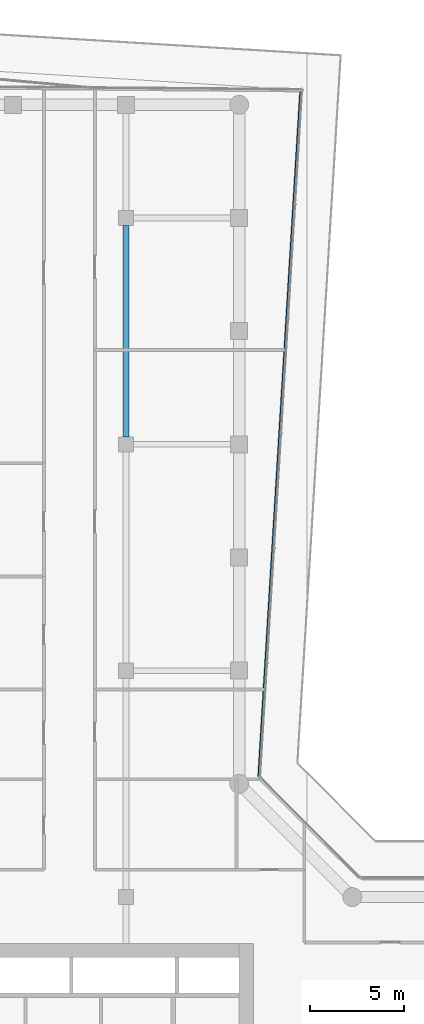
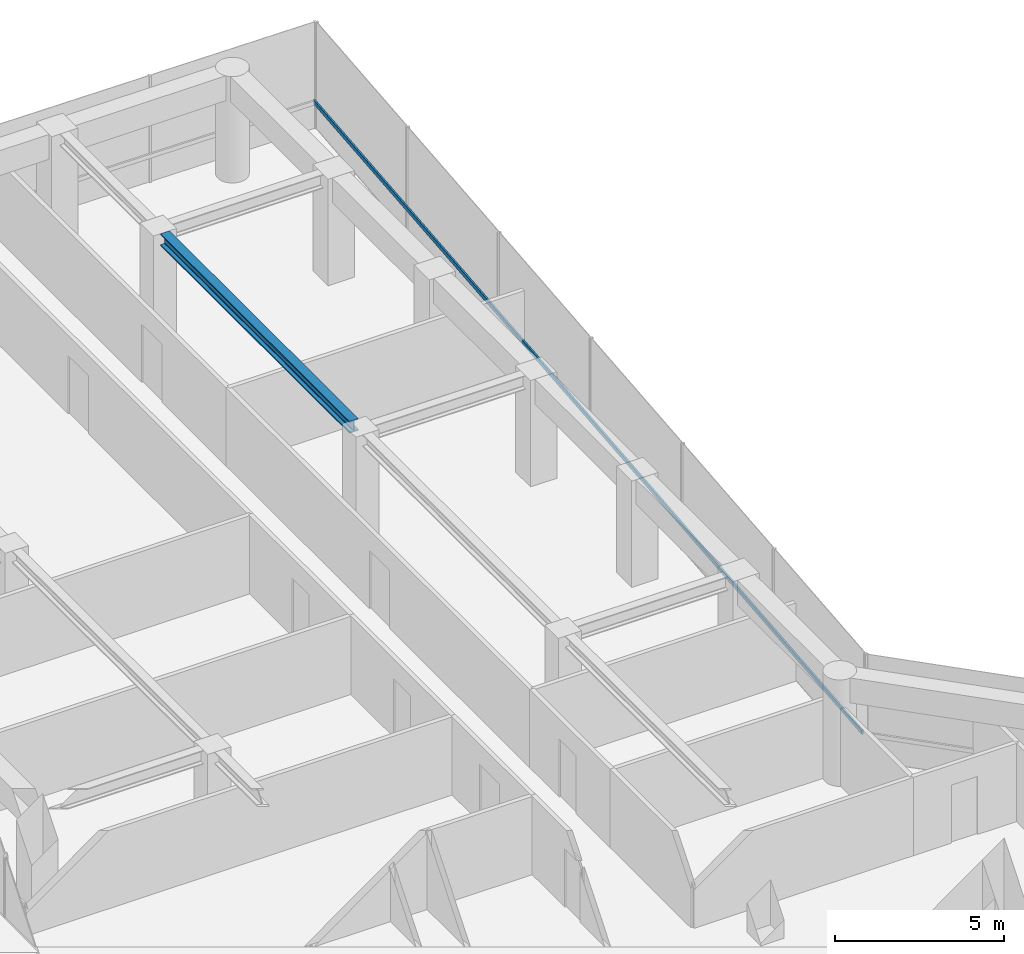
# One storey, part 16 of 24: 1 beam, 1 member, 1 element without a shape of its own.
"""IFC4 building model written with IfcOpenShell, lengths in metres."""

import ifcopenshell
import ifcopenshell.guid

model = None  # the IFC model being written
_history = None  # IfcOwnerHistory: only IFC2X3 demands one
_inside = {}  # id of a spatial element -> (the spatial element, [elements in it])
_under = {}  # id of a project, library or spatial element -> (it, [spatial elements below it])
_declared = {}  # id of a project -> (the project, [libraries it declares])
_typed = {}  # id of a type object -> (the type object, [elements of that type])
_made_of = {}  # id of a material, layer set ... -> (it, [elements and type objects made of it])


def new_model(schema):
    """Start an empty IFC model of exactly this schema.

    Asked for "IFC4X3", IfcOpenShell would pick the latest addendum, in which some entities
    have other attributes; the version numbers below select the first issue.
    IFC2X3 requires an IfcOwnerHistory on every rooted entity: one is made here for all.
    """
    global model, _history
    if schema == "IFC4X3":
        model = ifcopenshell.file(schema_version=(4, 3, 0, 0))
    else:
        model = ifcopenshell.file(schema=schema)
    _inside.clear()
    _under.clear()
    _declared.clear()
    _typed.clear()
    _made_of.clear()
    _history = None
    if model.schema == "IFC2X3":
        org = make("IfcOrganization", Name="unknown")
        user = make(
            "IfcPersonAndOrganization",
            ThePerson=make("IfcPerson", FamilyName="unknown"),
            TheOrganization=org,
        )
        app = make(
            "IfcApplication",
            ApplicationDeveloper=org,
            Version="unknown",
            ApplicationFullName="unknown",
            ApplicationIdentifier="unknown",
        )
        _history = make(
            "IfcOwnerHistory",
            OwningUser=user,
            OwningApplication=app,
            ChangeAction="ADDED",
            CreationDate=0,
        )
    return model


def make(cls, **values):
    """One entity of the class cls with the attributes given. An attribute that is None is left unset."""
    return model.create_entity(
        cls, **{name: value for name, value in values.items() if value is not None}
    )


def rooted(cls, **values):
    """An entity with a GlobalId (a new one), such as an element, a storey or a relation."""
    return make(cls, GlobalId=ifcopenshell.guid.new(), OwnerHistory=_history, **values)


def si_unit(unit_type, name, prefix=None):
    """IfcSIUnit, for example si_unit("LENGTHUNIT", "METRE", prefix="MILLI")."""
    return make("IfcSIUnit", UnitType=unit_type, Prefix=prefix, Name=name)


def assignment(units):
    """IfcUnitAssignment: the units of a project."""
    return None if units is None else make("IfcUnitAssignment", Units=units)


def point(xyz):
    """IfcCartesianPoint."""
    return None if xyz is None else make("IfcCartesianPoint", Coordinates=xyz)


def direction(xyz):
    """IfcDirection."""
    return None if xyz is None else make("IfcDirection", DirectionRatios=xyz)


def frame(location, z_axis=None, x_axis=None):
    """IfcAxis2Placement3D, a coordinate frame: its origin and axes. An axis left out is left unset."""
    return make(
        "IfcAxis2Placement3D",
        Location=point(location),
        Axis=direction(z_axis),
        RefDirection=direction(x_axis),
    )


def frame_2d(location, x_axis=None):
    """IfcAxis2Placement2D, a coordinate frame in the plane: its origin and x axis."""
    return make(
        "IfcAxis2Placement2D", Location=point(location), RefDirection=direction(x_axis)
    )


def origin():
    """The frame at (0, 0, 0) with its axes left unset."""
    return frame((0.0, 0.0, 0.0))


def origin_2d():
    """The frame at (0, 0) in the plane with its x axis left unset."""
    return frame_2d((0.0, 0.0))


def place(relative_to, where):
    """IfcLocalPlacement: puts the frame where relative to a parent placement (None: the world)."""
    return make(
        "IfcLocalPlacement", PlacementRelTo=relative_to, RelativePlacement=where
    )


def context(
    kind, dimensions, precision=None, world=None, true_north=None, identifier=None
):
    """IfcGeometricRepresentationContext, for example the 3D "Model" context."""
    return make(
        "IfcGeometricRepresentationContext",
        ContextIdentifier=identifier,
        ContextType=kind,
        CoordinateSpaceDimension=dimensions,
        Precision=precision,
        WorldCoordinateSystem=world,
        TrueNorth=true_north,
    )


def subcontext(parent, identifier, kind, view, scale=None):
    """IfcGeometricRepresentationSubContext, for example "Body" below "Model"."""
    return make(
        "IfcGeometricRepresentationSubContext",
        ContextIdentifier=identifier,
        ContextType=kind,
        ParentContext=parent,
        TargetScale=scale,
        TargetView=view,
    )


def project(units=None, contexts=None):
    """IfcProject with its units and contexts."""
    return rooted(
        "IfcProject",
        Name="project",
        RepresentationContexts=contexts,
        UnitsInContext=assignment(units),
    )


def spatial(cls, under=None, at=None, **own):
    """A site, building, storey or space (cls), placed at a placement, below another one or the project."""
    s = rooted(cls, ObjectPlacement=at, **own)
    if under is not None:
        _under.setdefault(under.id(), (under, []))[1].append(s)
    return s


def profile(cls, at=None, kind="AREA", **sizes):
    """A parametric profile (cls). Its sizes go by their IFC names, for example OverallWidth=200.0."""
    return make(cls, ProfileType=kind, Position=at, **sizes)


def rectangle(**sizes):
    """IfcRectangleProfileDef."""
    return profile("IfcRectangleProfileDef", **sizes)


def i_section(**sizes):
    """IfcIShapeProfileDef."""
    return profile("IfcIShapeProfileDef", **sizes)


def extrude(swept, where, along, depth):
    """IfcExtrudedAreaSolid: the profile swept, set in the frame where, extruded along a direction by depth."""
    return make(
        "IfcExtrudedAreaSolid",
        SweptArea=swept,
        Position=where,
        ExtrudedDirection=direction(along),
        Depth=depth,
    )


def shape(context_of_items, identifier, shape_type, items):
    """IfcShapeRepresentation: the items that make up one representation, for example the "Body"."""
    return make(
        "IfcShapeRepresentation",
        ContextOfItems=context_of_items,
        RepresentationIdentifier=identifier,
        RepresentationType=shape_type,
        Items=items,
    )


def material(Name=None, Category=None):
    """IfcMaterial."""
    return make("IfcMaterial", Name=Name, Category=Category)


def layer(
    of_material, thickness, ventilated=None, Name=None, Category=None, Priority=None
):
    """IfcMaterialLayer: one layer of a wall or slab, of a material (None: an air gap)."""
    return make(
        "IfcMaterialLayer",
        Material=of_material,
        LayerThickness=thickness,
        IsVentilated=ventilated,
        Name=Name,
        Category=Category,
        Priority=Priority,
    )


def layer_set(layers, Name=None):
    """IfcMaterialLayerSet."""
    return make("IfcMaterialLayerSet", MaterialLayers=layers, LayerSetName=Name)


def material_profile(
    of_material, cross_section, Name=None, Category=None, Priority=None
):
    """IfcMaterialProfile: a cross section and its material."""
    return make(
        "IfcMaterialProfile",
        Name=Name,
        Material=of_material,
        Profile=cross_section,
        Priority=Priority,
        Category=Category,
    )


def profile_set(profiles, Name=None, composite=None):
    """IfcMaterialProfileSet."""
    return make(
        "IfcMaterialProfileSet",
        Name=Name,
        MaterialProfiles=profiles,
        CompositeProfile=composite,
    )


def made_of(thing, what):
    """Note that an element or type object is made of a material, layer set ...; save() writes the relation."""
    if what is not None:
        _made_of.setdefault(what.id(), (what, []))[1].append(thing)
    return thing


def type_object(cls, material=None, **own):
    """A type object (cls), such as IfcWallType, which elements share."""
    return made_of(rooted(cls, **own), material)


def element(
    cls,
    number,
    at=None,
    inside=None,
    cuts=None,
    type_object=None,
    material=None,
    context=None,
    identifier="Body",
    shape_type=None,
    held_by="IfcProductDefinitionShape",
    body=None,
    shapes=None,
    **own,
):
    """One element of the class cls, such as IfcWall. Its Tag is "e" and its number.

    at: its placement. inside: the storey or other place that contains it. cuts: it is an
    opening in that element (IfcRelVoidsElement). A single representation is given by context,
    identifier, shape_type and body (its items); several are given by shapes. held_by: the class
    of the entity that holds the representations. save() writes the other relations.
    """
    e = rooted(cls, Tag="e%d" % number, ObjectPlacement=at, **own)
    if body is not None:
        shapes = [shape(context, identifier, shape_type, body)]
    if shapes is not None:
        e.Representation = make(held_by, Representations=shapes)
    if inside is not None:
        _inside.setdefault(inside.id(), (inside, []))[1].append(e)
    if cuts is not None:
        rooted(
            "IfcRelVoidsElement", RelatingBuildingElement=cuts, RelatedOpeningElement=e
        )
    if type_object is not None:
        _typed.setdefault(type_object.id(), (type_object, []))[1].append(e)
    return made_of(e, material)


def aggregate(whole, parts):
    """IfcRelAggregates: a whole, such as a stair, and the parts it consists of."""
    return rooted("IfcRelAggregates", RelatingObject=whole, RelatedObjects=parts)


def save(model, path):
    """Write the relations noted so far, then the file.

    IfcRelAggregates (storeys below a building ...), IfcRelContainedInSpatialStructure (elements
    in a storey), IfcRelDefinesByType, IfcRelAssociatesMaterial and IfcRelDeclares: one each for
    every whole, place, type object, material and project.
    """
    for whole, parts in _under.values():
        aggregate(whole, parts)
    for where, things in _inside.values():
        rooted(
            "IfcRelContainedInSpatialStructure",
            RelatedElements=things,
            RelatingStructure=where,
        )
    for kind, things in _typed.values():
        rooted("IfcRelDefinesByType", RelatedObjects=things, RelatingType=kind)
    for what, things in _made_of.values():
        rooted("IfcRelAssociatesMaterial", RelatedObjects=things, RelatingMaterial=what)
    for by, libraries in _declared.values():
        rooted("IfcRelDeclares", RelatingContext=by, RelatedDefinitions=libraries)
    model.write(path)


model = new_model("IFC4")

# Units and contexts
model_context = context("Model", 3, precision=1e-05, world=origin(), true_north=direction((0.0, 1.0)))
body_context = subcontext(model_context, "Body", "Model", "MODEL_VIEW")
ifc_project = project(units=[si_unit("LENGTHUNIT", "METRE"), si_unit("AREAUNIT", "SQUARE_METRE"), si_unit("VOLUMEUNIT", "CUBIC_METRE"), si_unit("PLANEANGLEUNIT", "RADIAN"), si_unit("MASSUNIT", "GRAM", prefix="KILO")], contexts=[model_context])

# Site, building, storey
site_placement = place(None, origin())
site = spatial("IfcSite", under=ifc_project, at=site_placement, CompositionType="ELEMENT")
building_placement = place(site_placement, origin())
building = spatial("IfcBuilding", under=site, at=building_placement, Name="Welwitschia Terrace Campus", CompositionType="ELEMENT")
storey_placement = place(building_placement, frame((0.0, 0.0, 125.60009765625)))
storey = spatial("IfcBuildingStorey", under=building, at=storey_placement, Name="L28", CompositionType="ELEMENT", Elevation=125.60009765625)

# Beam
ifc_material_1 = material(Name="Steel S355", Category="steel")
ifc_material_profile_1 = material_profile(ifc_material_1, i_section(OverallWidth=0.306884765625, OverallDepth=0.431884765625, WebThickness=0.02099609375, FlangeThickness=0.0400390625, FilletRadius=0.027099609375, at=origin_2d()))
ifc_profile_set_1 = profile_set([ifc_material_profile_1], Name="Steel S355")
beam_type = type_object("IfcBeamType", Name="Interior girder HE 400 M", PredefinedType="BEAM", material=ifc_profile_set_1)
beam_placement = place(storey_placement, frame((18.0, 52.400390625, 3.6337890625), z_axis=(0.0, 1.0, 0.0), x_axis=(-1.0, 0.0, 0.0)))
element("IfcBeam", 1, at=beam_placement, inside=storey, type_object=beam_type, Name="Girder GB3", PredefinedType="BEAM", context=body_context, shape_type="SweptSolid", body=[
    extrude(i_section(OverallWidth=0.306884765625, OverallDepth=0.431884765625, WebThickness=0.02099609375, FlangeThickness=0.0400390625, FilletRadius=0.027099609375, at=origin_2d()), origin(), (0.0, 0.0, 1.0), 11.19921875),
])

# Curtain wall, member
ifc_material_2 = material(Name="Bronze anodised aluminium", Category="aluminium")
ifc_layer = layer(ifc_material_2, 0.1201171875)
ifc_layer_set = layer_set([ifc_layer], Name="Bronze anodised aluminium")
curtain_wall_type = type_object("IfcCurtainWallType", Name="Curtain wall CW2 tower 6000", PredefinedType="NOTDEFINED", material=ifc_layer_set)
curtain_wall_placement = place(storey_placement, origin())
curtain_wall = element("IfcCurtainWall", 2, at=curtain_wall_placement, inside=storey, type_object=curtain_wall_type, Name="CW L28.10.0", PredefinedType="NOTDEFINED")
ifc_material_3 = material(Name="Bronze anodised aluminium", Category="aluminium")
ifc_material_profile_2 = material_profile(ifc_material_3, rectangle(XDim=0.06005859375, YDim=0.14990234375, at=origin_2d()))
ifc_profile_set_2 = profile_set([ifc_material_profile_2], Name="Bronze anodised aluminium")
member_type = type_object("IfcMemberType", Name="Transom 60x150", PredefinedType="USERDEFINED", material=ifc_profile_set_2)
member_placement = place(storey_placement, frame((25.019775390625, 34.416015625, 1.0), z_axis=(0.061046265599, 0.998134937499, 0.0), x_axis=(-0.998134937499, 0.061046265599, 0.0)))
member = element("IfcMember", 3, at=member_placement, type_object=member_type, Name="Transom L28.10.0", ObjectType="TRANSOM", PredefinedType="USERDEFINED", context=body_context, shape_type="SweptSolid", body=[
    extrude(rectangle(XDim=0.06005859375, YDim=0.14990234375, at=origin_2d()), origin(), (0.0, 0.0, 1.0), 36.413330078125),
])
aggregate(curtain_wall, [member])

save(model, "model.ifc")
